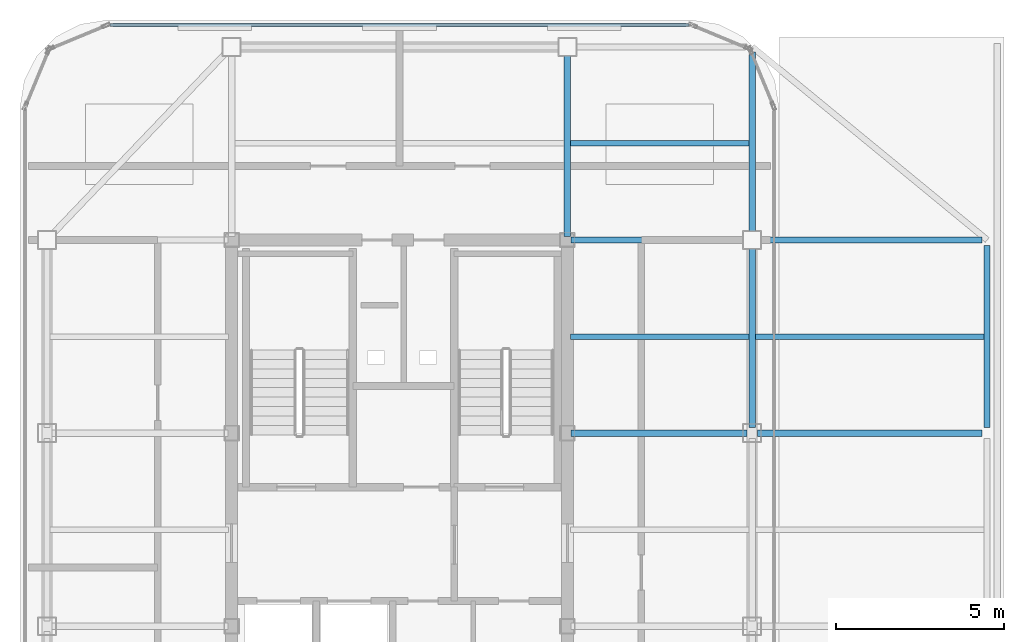
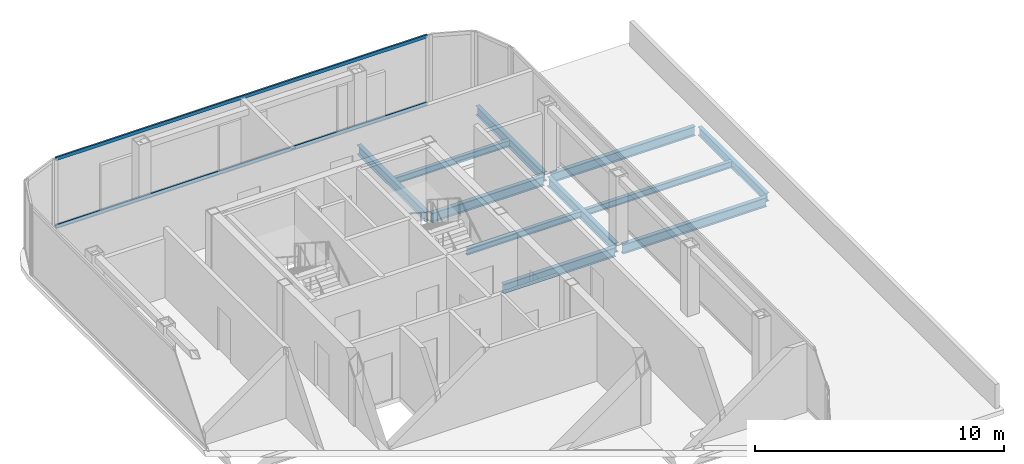
# One storey, part 7 of 11: 11 beams, 2 members, 1 element without a shape of its own.
"""IFC4 building model written with IfcOpenShell, lengths in metres."""

from ifc_helpers import new_model, si_unit, direction, frame, origin, origin_2d, place, context, subcontext, project, spatial, hollow_rectangle, i_section, extrude, source, transform, mapped, material, layer, layer_set, material_profile, profile_set, type_object, element, aggregate, save


model = new_model("IFC4")

# Units and contexts
model_context = context("Model", 3, precision=1e-05, world=origin(), true_north=direction((0.0, 1.0)))
body_context = subcontext(model_context, "Body", "Model", "MODEL_VIEW")
ifc_project = project(units=[si_unit("LENGTHUNIT", "METRE"), si_unit("AREAUNIT", "SQUARE_METRE"), si_unit("VOLUMEUNIT", "CUBIC_METRE"), si_unit("PLANEANGLEUNIT", "RADIAN"), si_unit("MASSUNIT", "GRAM", prefix="KILO")], contexts=[model_context])

# Site, building, storey
site_placement = place(None, origin())
site = spatial("IfcSite", under=ifc_project, at=site_placement, CompositionType="ELEMENT")
building_placement = place(site_placement, origin())
building = spatial("IfcBuilding", under=site, at=building_placement, Name="Kolveth Station Tower", CompositionType="ELEMENT")
storey_placement = place(building_placement, frame((0.0, 0.0, 285.699951171875)))
storey = spatial("IfcBuildingStorey", under=building, at=storey_placement, Name="L82", CompositionType="ELEMENT", Elevation=285.699951171875)

# Beams
ifc_material_1 = material(Name="Steel S355", Category="steel")
ifc_material_profile_1 = material_profile(ifc_material_1, i_section(OverallWidth=0.180908203125, OverallDepth=0.4169921875, WebThickness=0.010986328125, FlangeThickness=0.018310546875, at=origin_2d()), Name="W410x85")
ifc_profile_set_1 = profile_set([ifc_material_profile_1], Name="Steel S355")
beam_type_1 = type_object("IfcBeamType", Name="Beam_B8", PredefinedType="BEAM", material=ifc_profile_set_1)
shared_shape_1 = source(origin(), body_context, "Body", "SweptSolid", [
    extrude(i_section(OverallWidth=0.180908203125, OverallDepth=0.4169921875, WebThickness=0.010986328125, FlangeThickness=0.018310546875, at=origin_2d()), origin(), (0.0, 0.0, 1.0), 5.43017578125),
])
beam_1_placement = place(storey_placement, frame((41.0, 23.159912109375, -0.428466796875), z_axis=(0.0, 1.0, 0.0), x_axis=(-1.0, 0.0, 0.0)))
element("IfcBeam", 1, at=beam_1_placement, inside=storey, type_object=beam_type_1, Name="L82 Perimeter Spandrel BM-L82-PE-3", PredefinedType="BEAM", context=body_context, shape_type="MappedRepresentation", body=[
    mapped(shared_shape_1, transform((0.0, 0.0, 0.0), x_axis=(1.0, 0.0, 0.0), y_axis=(0.0, 1.0, 0.0), z_axis=(0.0, 0.0, 1.0), scale=1.0)),
])
ifc_material_profile_2 = material_profile(ifc_material_1, i_section(OverallWidth=0.19091796875, OverallDepth=0.4599609375, WebThickness=0.010009765625, FlangeThickness=0.01611328125, at=origin_2d()), Name="W460x82")
ifc_profile_set_2 = profile_set([ifc_material_profile_2], Name="Steel S355")
beam_type_2 = type_object("IfcBeamType", Name="Beam_B7", PredefinedType="BEAM", material=ifc_profile_set_2)
shared_shape_2 = source(origin(), body_context, "Body", "SweptSolid", [
    extrude(i_section(OverallWidth=0.19091796875, OverallDepth=0.4599609375, WebThickness=0.010009765625, FlangeThickness=0.01611328125, at=origin_2d()), origin(), (0.0, 0.0, 1.0), 6.68017578125),
])
for number, where, z_axis, x_axis, name in (
    (2, (34.159912109375, 23.0, -0.449951171875), (1.0, 0.0, 0.0), (0.0, 1.0, 0.0), "L82 Primary Girder BM-L82-GY230-4"),
    (3, (34.159912109375, 28.75, -0.449951171875), (1.0, 0.0, 0.0), (0.0, 1.0, 0.0), "L82 Primary Girder BM-L82-GY287-4"),
):
    element("IfcBeam", number, at=place(storey_placement, frame(where, z_axis=z_axis, x_axis=x_axis)), inside=storey, type_object=beam_type_2, Name=name, PredefinedType="BEAM", context=body_context, shape_type="MappedRepresentation", body=[
        mapped(shared_shape_2, transform((0.0, 0.0, 0.0), x_axis=(1.0, 0.0, 0.0), y_axis=(0.0, 1.0, 0.0), z_axis=(0.0, 0.0, 1.0), scale=1.0)),
    ])
shared_shape_3 = source(origin(), body_context, "Body", "SweptSolid", [
    extrude(i_section(OverallWidth=0.19091796875, OverallDepth=0.4599609375, WebThickness=0.010009765625, FlangeThickness=0.01611328125, at=origin_2d()), origin(), (0.0, 0.0, 1.0), 5.22998046875),
])
for number, where, z_axis, x_axis, name in (
    (4, (28.610107421875, 23.0, -0.449951171875), (1.0, 0.0, 0.0), (0.0, 1.0, 0.0), "L82 Primary Girder BM-L82-GY230-3"),
    (5, (28.610107421875, 28.75, -0.449951171875), (1.0, 0.0, 0.0), (0.0, 1.0, 0.0), "L82 Primary Girder BM-L82-GY287-3"),
):
    element("IfcBeam", number, at=place(storey_placement, frame(where, z_axis=z_axis, x_axis=x_axis)), inside=storey, type_object=beam_type_2, Name=name, PredefinedType="BEAM", context=body_context, shape_type="MappedRepresentation", body=[
        mapped(shared_shape_3, transform((0.0, 0.0, 0.0), x_axis=(1.0, 0.0, 0.0), y_axis=(0.0, 1.0, 0.0), z_axis=(0.0, 0.0, 1.0), scale=1.0)),
    ])
shared_shape_4 = source(origin(), body_context, "Body", "SweptSolid", [
    extrude(i_section(OverallWidth=0.19091796875, OverallDepth=0.4599609375, WebThickness=0.010009765625, FlangeThickness=0.01611328125, at=origin_2d()), origin(), (0.0, 0.0, 1.0), 5.43017578125),
])
for number, where, z_axis, x_axis, name in (
    (6, (34.0, 23.159912109375, -0.449951171875), (0.0, 1.0, 0.0), (-1.0, 0.0, 0.0), "L82 Primary Girder BM-L82-GX340-4"),
    (7, (34.0, 28.909912109375, -0.449951171875), (0.0, 1.0, 0.0), (-1.0, 0.0, 0.0), "L82 Primary Girder BM-L82-GX340-5"),
):
    element("IfcBeam", number, at=place(storey_placement, frame(where, z_axis=z_axis, x_axis=x_axis)), inside=storey, type_object=beam_type_2, Name=name, PredefinedType="BEAM", context=body_context, shape_type="MappedRepresentation", body=[
        mapped(shared_shape_4, transform((0.0, 0.0, 0.0), x_axis=(1.0, 0.0, 0.0), y_axis=(0.0, 1.0, 0.0), z_axis=(0.0, 0.0, 1.0), scale=1.0)),
    ])
shared_shape_5 = source(origin(), body_context, "Body", "SweptSolid", [
    extrude(i_section(OverallWidth=0.19091796875, OverallDepth=0.4599609375, WebThickness=0.010009765625, FlangeThickness=0.01611328125, at=origin_2d()), origin(), (0.0, 0.0, 1.0), 5.47998046875),
])
beam_2_placement = place(storey_placement, frame((28.5, 28.860107421875, -0.449951171875), z_axis=(0.0, 1.0, 0.0), x_axis=(-1.0, 0.0, 0.0)))
element("IfcBeam", 8, at=beam_2_placement, inside=storey, type_object=beam_type_2, Name="L82 Primary Girder BM-L82-GX285-5", PredefinedType="BEAM", context=body_context, shape_type="MappedRepresentation", body=[
    mapped(shared_shape_5, transform((0.0, 0.0, 0.0), x_axis=(1.0, 0.0, 0.0), y_axis=(0.0, 1.0, 0.0), z_axis=(0.0, 0.0, 1.0), scale=1.0)),
])
ifc_material_profile_3 = material_profile(ifc_material_1, i_section(OverallWidth=0.1650390625, OverallDepth=0.31005859375, WebThickness=0.005859375, FlangeThickness=0.009765625, at=origin_2d()), Name="W310x39")
ifc_profile_set_3 = profile_set([ifc_material_profile_3], Name="Steel S355")
beam_type_3 = type_object("IfcBeamType", Name="Beam_J3", PredefinedType="JOIST", material=ifc_profile_set_3)
shared_shape_6 = source(origin(), body_context, "Body", "SweptSolid", [
    extrude(i_section(OverallWidth=0.1650390625, OverallDepth=0.31005859375, WebThickness=0.005859375, FlangeThickness=0.009765625, at=origin_2d()), origin(), (0.0, 0.0, 1.0), 6.818115234375),
])
beam_3_placement = place(storey_placement, frame((34.093505859375, 25.875, -0.375), z_axis=(1.0, 0.0, 0.0), x_axis=(0.0, 1.0, 0.0)))
element("IfcBeam", 9, at=beam_3_placement, inside=storey, type_object=beam_type_3, Name="L82 Secondary Joist JST-L82-4-4", PredefinedType="JOIST", context=body_context, shape_type="MappedRepresentation", body=[
    mapped(shared_shape_6, transform((0.0, 0.0, 0.0), x_axis=(1.0, 0.0, 0.0), y_axis=(0.0, 1.0, 0.0), z_axis=(0.0, 0.0, 1.0), scale=1.0)),
])
shared_shape_7 = source(origin(), body_context, "Body", "SweptSolid", [
    extrude(i_section(OverallWidth=0.1650390625, OverallDepth=0.31005859375, WebThickness=0.005859375, FlangeThickness=0.009765625, at=origin_2d()), origin(), (0.0, 0.0, 1.0), 5.31298828125),
])
for number, where, z_axis, x_axis, name in (
    (10, (28.593505859375, 25.875, -0.375), (1.0, 0.0, 0.0), (0.0, 1.0, 0.0), "L82 Secondary Joist JST-L82-3-4"),
    (11, (28.593505859375, 31.625, -0.375), (1.0, 0.0, 0.0), (0.0, 1.0, 0.0), "L82 Secondary Joist JST-L82-3-5"),
):
    element("IfcBeam", number, at=place(storey_placement, frame(where, z_axis=z_axis, x_axis=x_axis)), inside=storey, type_object=beam_type_3, Name=name, PredefinedType="JOIST", context=body_context, shape_type="MappedRepresentation", body=[
        mapped(shared_shape_7, transform((0.0, 0.0, 0.0), x_axis=(1.0, 0.0, 0.0), y_axis=(0.0, 1.0, 0.0), z_axis=(0.0, 0.0, 1.0), scale=1.0)),
    ])

# Curtain wall, members
ifc_material_2 = material(Name="Black anodized aluminium 6063-T6 and dark crown glass", Category="aluminium")
ifc_layer = layer(ifc_material_2, 0.169921875)
ifc_layer_set = layer_set([ifc_layer], Name="Black anodized aluminium 6063-T6 and dark crown glass")
curtain_wall_type = type_object("IfcCurtainWallType", Name="CurtainWall_CW-CR", PredefinedType="NOTDEFINED", material=ifc_layer_set)
curtain_wall_placement = place(storey_placement, origin())
curtain_wall = element("IfcCurtainWall", 12, at=curtain_wall_placement, inside=storey, type_object=curtain_wall_type, Name="L82 Stepped Crown Curtain Wall 6", PredefinedType="NOTDEFINED")
ifc_material_3 = material(Name="Black anodized aluminium 6063-T6", Category="aluminium")
ifc_material_profile_4 = material_profile(ifc_material_3, hollow_rectangle(XDim=0.080078125, YDim=0.1650390625, WallThickness=0.0048828125, at=origin_2d()), Name="ALU-80x165x5")
ifc_profile_set_4 = profile_set([ifc_material_profile_4], Name="Black anodized aluminium 6063-T6")
member_type = type_object("IfcMemberType", Name="Transom_TR-CR", PredefinedType="USERDEFINED", material=ifc_profile_set_4)
shared_shape_8 = source(origin(), body_context, "Body", "SweptSolid", [
    extrude(hollow_rectangle(XDim=0.080078125, YDim=0.1650390625, WallThickness=0.0048828125, at=origin_2d()), origin(), (0.0, 0.0, 1.0), 17.22998046875),
])
member_1_placement = place(storey_placement, frame((32.114990234375, 35.14990234375, 0.0400390625), z_axis=(-1.0, 0.0, 0.0), x_axis=(0.0, -1.0, 0.0)))
member_1 = element("IfcMember", 13, at=member_1_placement, type_object=member_type, Name="CW-CR transom 1.1", ObjectType="TRANSOM", PredefinedType="USERDEFINED", context=body_context, shape_type="MappedRepresentation", body=[
    mapped(shared_shape_8, transform((0.0, 0.0, 0.0), x_axis=(1.0, 0.0, 0.0), y_axis=(0.0, 1.0, 0.0), z_axis=(0.0, 0.0, 1.0), scale=1.0)),
])
member_2_placement = place(storey_placement, frame((32.114990234375, 35.14990234375, 3.340087890625), z_axis=(-1.0, 0.0, 0.0), x_axis=(0.0, -1.0, 0.0)))
member_2 = element("IfcMember", 14, at=member_2_placement, type_object=member_type, Name="CW-CR transom 1.2", ObjectType="TRANSOM", PredefinedType="USERDEFINED", context=body_context, shape_type="MappedRepresentation", body=[
    mapped(shared_shape_8, transform((0.0, 0.0, 0.0), x_axis=(1.0, 0.0, 0.0), y_axis=(0.0, 1.0, 0.0), z_axis=(0.0, 0.0, 1.0), scale=1.0)),
])
aggregate(curtain_wall, [member_1, member_2])

save(model, "model.ifc")
